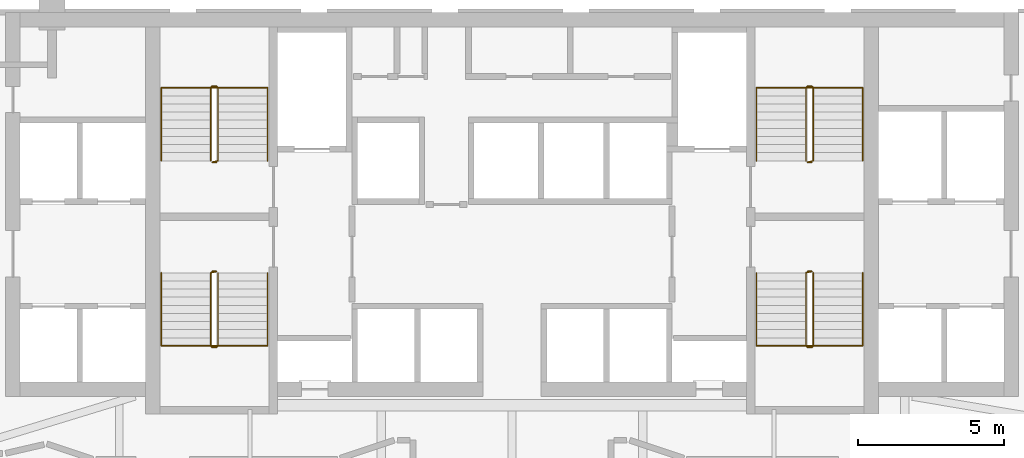
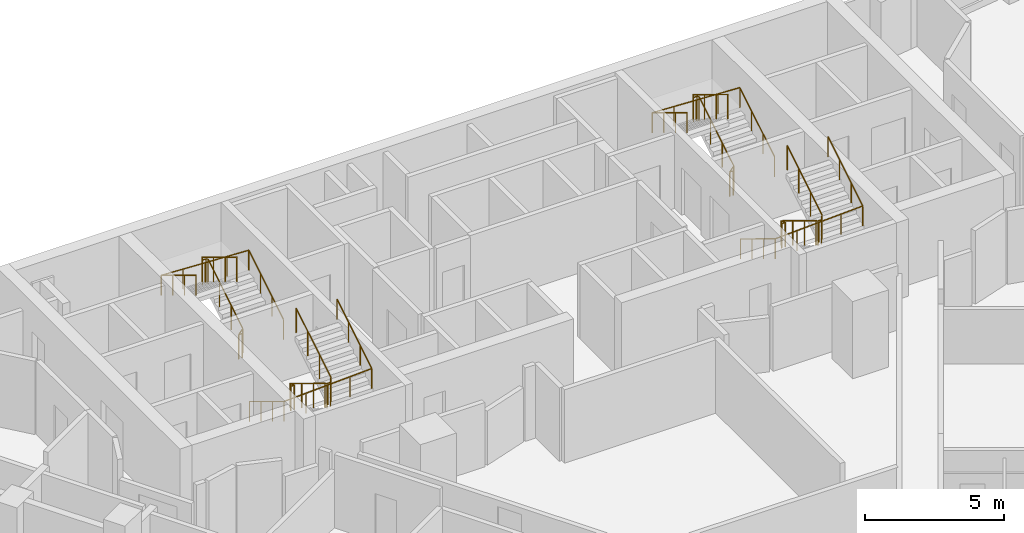
# One storey, part 11 of 11: 8 railings.
"""IFC4 building model written with IfcOpenShell, lengths in metres."""

from ifc_helpers import new_model, si_unit, direction, frame, origin, origin_2d, place, context, subcontext, project, spatial, circle, extrude, material, type_object, element, save


model = new_model("IFC4")

# Units and contexts
model_context = context("Model", 3, precision=1e-05, world=origin(), true_north=direction((0.0, 1.0)))
body_context = subcontext(model_context, "Body", "Model", "MODEL_VIEW")
ifc_project = project(units=[si_unit("LENGTHUNIT", "METRE"), si_unit("AREAUNIT", "SQUARE_METRE"), si_unit("VOLUMEUNIT", "CUBIC_METRE"), si_unit("PLANEANGLEUNIT", "RADIAN"), si_unit("MASSUNIT", "GRAM", prefix="KILO")], contexts=[model_context])

# Site, building, storey
site_placement = place(None, origin())
site = spatial("IfcSite", under=ifc_project, at=site_placement, CompositionType="ELEMENT")
building_placement = place(site_placement, origin())
building = spatial("IfcBuilding", under=site, at=building_placement, Name="Calabash Gate Tower", CompositionType="ELEMENT")
storey_placement = place(building_placement, frame((0.0, 0.0, 98.60009765625)))
storey = spatial("IfcBuildingStorey", under=building, at=storey_placement, Name="L21", CompositionType="ELEMENT", Elevation=98.60009765625)

# Railings
ifc_material_1 = material(Name="Black powder-coated steel balusters", Category="steel")
railing_type_1 = type_object("IfcRailingType", Name="Stair guard RL1100", PredefinedType="GUARDRAIL", material=ifc_material_1)
railing_1_placement = place(storey_placement, frame((-10.14990234375, 13.902587890625, 0.0)))
element("IfcRailing", 1, at=railing_1_placement, inside=storey, type_object=railing_type_1, Name="L21 ST1 stair guard 1", PredefinedType="GUARDRAIL", context=body_context, shape_type="SweptSolid", body=[
    extrude(circle(Radius=0.02392578125, at=origin_2d()), frame((0.0, 0.0, 1.076171875), z_axis=(-1.0, 0.0, 0.0), x_axis=(0.0, -1.0, 0.0)), (0.0, 0.0, 1.0), 0.150146484375),
    extrude(circle(Radius=0.02392578125, at=origin_2d()), frame((-0.150146484375, 0.0, 1.076171875), z_axis=(0.748514443355, 0.187357095101, 0.636100186295), x_axis=(-0.242814311512, 0.970072785993, 0.0)), (0.0, 0.0, 1.0), 0.26708984375),
    extrude(circle(Radius=0.02392578125, at=origin_2d()), frame((0.0498046875, 0.050048828125, 1.24609375), z_axis=(0.0, 0.853956361026, 0.520344629514), x_axis=(-1.0, 0.0, 0.0)), (0.0, 0.0, 1.0), 2.9404296875),
    extrude(circle(Radius=0.02392578125, at=origin_2d()), frame((0.0498046875, 2.56103515625, 2.77587890625), z_axis=(-0.705375805398, 0.708833529934, 0.0), x_axis=(-0.708833529934, -0.705375805398, 0.0)), (0.0, 0.0, 1.0), 0.070556640625),
    extrude(circle(Radius=0.02392578125, at=origin_2d()), frame((0.0, 2.611083984375, 2.77587890625), z_axis=(-1.0, 0.0, 0.0), x_axis=(0.0, -1.0, 0.0)), (0.0, 0.0, 1.0), 0.150146484375),
    extrude(circle(Radius=0.02392578125, at=origin_2d()), frame((-0.150146484375, 2.611083984375, 2.77587890625), z_axis=(-0.271895245746, -0.271895245746, 0.923117517265), x_axis=(0.707106781187, -0.707106781187, 0.0)), (0.0, 0.0, 1.0), 0.18408203125),
    extrude(circle(Radius=0.02392578125, at=origin_2d()), frame((-0.2001953125, 2.56103515625, 2.94580078125), z_axis=(0.0, -0.853956361026, 0.520344629514), x_axis=(1.0, 0.0, 0.0)), (0.0, 0.0, 1.0), 2.9404296875),
    extrude(circle(Radius=0.02099609375, at=origin_2d()), origin(), (0.0, 0.0, 1.0), 1.052001953125),
    extrude(circle(Radius=0.02099609375, at=origin_2d()), frame((-0.150146484375, 0.0, 0.0)), (0.0, 0.0, 1.0), 1.052001953125),
    extrude(circle(Radius=0.02099609375, at=origin_2d()), frame((0.0498046875, 0.050048828125, 0.169921875)), (0.0, 0.0, 1.0), 1.052001953125),
    extrude(circle(Radius=0.02099609375, at=origin_2d()), frame((0.0498046875, 0.886962890625, 0.679931640625)), (0.0, 0.0, 1.0), 1.052001953125),
    extrude(circle(Radius=0.02099609375, at=origin_2d()), frame((0.0498046875, 1.72412109375, 1.18994140625)), (0.0, 0.0, 1.0), 1.052001953125),
    extrude(circle(Radius=0.02099609375, at=origin_2d()), frame((0.0498046875, 2.56103515625, 1.699951171875)), (0.0, 0.0, 1.0), 1.052001953125),
    extrude(circle(Radius=0.02099609375, at=origin_2d()), frame((0.0, 2.611083984375, 1.699951171875)), (0.0, 0.0, 1.0), 1.052001953125),
    extrude(circle(Radius=0.02099609375, at=origin_2d()), frame((-0.150146484375, 2.611083984375, 1.699951171875)), (0.0, 0.0, 1.0), 1.052001953125),
    extrude(circle(Radius=0.02099609375, at=origin_2d()), frame((-0.2001953125, 2.56103515625, 1.869873046875)), (0.0, 0.0, 1.0), 1.052001953125),
    extrude(circle(Radius=0.02099609375, at=origin_2d()), frame((-0.2001953125, 1.72412109375, 2.3798828125)), (0.0, 0.0, 1.0), 1.052001953125),
    extrude(circle(Radius=0.02099609375, at=origin_2d()), frame((-0.2001953125, 0.886962890625, 2.889892578125)), (0.0, 0.0, 1.0), 1.052001953125),
    extrude(circle(Radius=0.02099609375, at=origin_2d()), frame((-0.2001953125, 0.050048828125, 3.39990234375)), (0.0, 0.0, 1.0), 1.052001953125),
])
railing_2_placement = place(storey_placement, frame((-10.300048828125, 10.152587890625, 0.0)))
element("IfcRailing", 2, at=railing_2_placement, inside=storey, type_object=railing_type_1, Name="L21 ST2 stair guard 1", PredefinedType="GUARDRAIL", context=body_context, shape_type="SweptSolid", body=[
    extrude(circle(Radius=0.02392578125, at=origin_2d()), frame((0.0, 0.0, 1.076171875), z_axis=(1.0, 0.0, 0.0), x_axis=(0.0, 1.0, 0.0)), (0.0, 0.0, 1.0), 0.150146484375),
    extrude(circle(Radius=0.02392578125, at=origin_2d()), frame((0.150146484375, 0.0, 1.076171875), z_axis=(-0.748915913269, -0.187228978317, 0.635665214189), x_axis=(0.242535625036, -0.970142500145, 0.0)), (0.0, 0.0, 1.0), 0.267333984375),
    extrude(circle(Radius=0.02392578125, at=origin_2d()), frame((-0.050048828125, -0.050048828125, 1.24609375), z_axis=(0.0, -0.853956361026, 0.520344629514), x_axis=(1.0, 0.0, 0.0)), (0.0, 0.0, 1.0), 2.9404296875),
    extrude(circle(Radius=0.02392578125, at=origin_2d()), frame((-0.050048828125, -2.56103515625, 2.77587890625), z_axis=(0.707106781187, -0.707106781187, 0.0), x_axis=(0.707106781187, 0.707106781187, 0.0)), (0.0, 0.0, 1.0), 0.07080078125),
    extrude(circle(Radius=0.02392578125, at=origin_2d()), frame((0.0, -2.611083984375, 2.77587890625), z_axis=(1.0, 0.0, 0.0), x_axis=(0.0, 1.0, 0.0)), (0.0, 0.0, 1.0), 0.150146484375),
    extrude(circle(Radius=0.02392578125, at=origin_2d()), frame((0.150146484375, -2.611083984375, 2.77587890625), z_axis=(0.270666314514, 0.271993110173, 0.92344977893), x_axis=(-0.708833529934, 0.705375805398, 0.0)), (0.0, 0.0, 1.0), 0.18408203125),
    extrude(circle(Radius=0.02392578125, at=origin_2d()), frame((0.199951171875, -2.56103515625, 2.94580078125), z_axis=(0.0, 0.853956361026, 0.520344629514), x_axis=(-1.0, 0.0, 0.0)), (0.0, 0.0, 1.0), 2.9404296875),
    extrude(circle(Radius=0.02099609375, at=origin_2d()), origin(), (0.0, 0.0, 1.0), 1.052001953125),
    extrude(circle(Radius=0.02099609375, at=origin_2d()), frame((0.150146484375, 0.0, 0.0)), (0.0, 0.0, 1.0), 1.052001953125),
    extrude(circle(Radius=0.02099609375, at=origin_2d()), frame((-0.050048828125, -0.050048828125, 0.169921875)), (0.0, 0.0, 1.0), 1.052001953125),
    extrude(circle(Radius=0.02099609375, at=origin_2d()), frame((-0.050048828125, -0.886962890625, 0.679931640625)), (0.0, 0.0, 1.0), 1.052001953125),
    extrude(circle(Radius=0.02099609375, at=origin_2d()), frame((-0.050048828125, -1.72412109375, 1.18994140625)), (0.0, 0.0, 1.0), 1.052001953125),
    extrude(circle(Radius=0.02099609375, at=origin_2d()), frame((-0.050048828125, -2.56103515625, 1.699951171875)), (0.0, 0.0, 1.0), 1.052001953125),
    extrude(circle(Radius=0.02099609375, at=origin_2d()), frame((0.0, -2.611083984375, 1.699951171875)), (0.0, 0.0, 1.0), 1.052001953125),
    extrude(circle(Radius=0.02099609375, at=origin_2d()), frame((0.150146484375, -2.611083984375, 1.699951171875)), (0.0, 0.0, 1.0), 1.052001953125),
    extrude(circle(Radius=0.02099609375, at=origin_2d()), frame((0.199951171875, -2.56103515625, 1.869873046875)), (0.0, 0.0, 1.0), 1.052001953125),
    extrude(circle(Radius=0.02099609375, at=origin_2d()), frame((0.199951171875, -1.72412109375, 2.3798828125)), (0.0, 0.0, 1.0), 1.052001953125),
    extrude(circle(Radius=0.02099609375, at=origin_2d()), frame((0.199951171875, -0.886962890625, 2.889892578125)), (0.0, 0.0, 1.0), 1.052001953125),
    extrude(circle(Radius=0.02099609375, at=origin_2d()), frame((0.199951171875, -0.050048828125, 3.39990234375)), (0.0, 0.0, 1.0), 1.052001953125),
])
railing_3_placement = place(storey_placement, frame((10.300048828125, 13.902587890625, 0.0)))
element("IfcRailing", 3, at=railing_3_placement, inside=storey, type_object=railing_type_1, Name="L21 ST3 stair guard 1", PredefinedType="GUARDRAIL", context=body_context, shape_type="SweptSolid", body=[
    extrude(circle(Radius=0.02392578125, at=origin_2d()), frame((0.0, 0.0, 1.076171875), z_axis=(-1.0, 0.0, 0.0), x_axis=(0.0, -1.0, 0.0)), (0.0, 0.0, 1.0), 0.150146484375),
    extrude(circle(Radius=0.02392578125, at=origin_2d()), frame((-0.150146484375, 0.0, 1.076171875), z_axis=(0.748915913269, 0.187228978317, 0.635665214189), x_axis=(-0.242535625036, 0.970142500145, 0.0)), (0.0, 0.0, 1.0), 0.267333984375),
    extrude(circle(Radius=0.02392578125, at=origin_2d()), frame((0.050048828125, 0.050048828125, 1.24609375), z_axis=(0.0, 0.853956361026, 0.520344629514), x_axis=(-1.0, 0.0, 0.0)), (0.0, 0.0, 1.0), 2.9404296875),
    extrude(circle(Radius=0.02392578125, at=origin_2d()), frame((0.050048828125, 2.56103515625, 2.77587890625), z_axis=(-0.707106781187, 0.707106781187, 0.0), x_axis=(-0.707106781187, -0.707106781187, 0.0)), (0.0, 0.0, 1.0), 0.07080078125),
    extrude(circle(Radius=0.02392578125, at=origin_2d()), frame((0.0, 2.611083984375, 2.77587890625), z_axis=(-1.0, 0.0, 0.0), x_axis=(0.0, -1.0, 0.0)), (0.0, 0.0, 1.0), 0.150146484375),
    extrude(circle(Radius=0.02392578125, at=origin_2d()), frame((-0.150146484375, 2.611083984375, 2.77587890625), z_axis=(-0.270666314514, -0.271993110173, 0.92344977893), x_axis=(0.708833529934, -0.705375805398, 0.0)), (0.0, 0.0, 1.0), 0.18408203125),
    extrude(circle(Radius=0.02392578125, at=origin_2d()), frame((-0.199951171875, 2.56103515625, 2.94580078125), z_axis=(0.0, -0.853956361026, 0.520344629514), x_axis=(1.0, 0.0, 0.0)), (0.0, 0.0, 1.0), 2.9404296875),
    extrude(circle(Radius=0.02099609375, at=origin_2d()), origin(), (0.0, 0.0, 1.0), 1.052001953125),
    extrude(circle(Radius=0.02099609375, at=origin_2d()), frame((-0.150146484375, 0.0, 0.0)), (0.0, 0.0, 1.0), 1.052001953125),
    extrude(circle(Radius=0.02099609375, at=origin_2d()), frame((0.050048828125, 0.050048828125, 0.169921875)), (0.0, 0.0, 1.0), 1.052001953125),
    extrude(circle(Radius=0.02099609375, at=origin_2d()), frame((0.050048828125, 0.886962890625, 0.679931640625)), (0.0, 0.0, 1.0), 1.052001953125),
    extrude(circle(Radius=0.02099609375, at=origin_2d()), frame((0.050048828125, 1.72412109375, 1.18994140625)), (0.0, 0.0, 1.0), 1.052001953125),
    extrude(circle(Radius=0.02099609375, at=origin_2d()), frame((0.050048828125, 2.56103515625, 1.699951171875)), (0.0, 0.0, 1.0), 1.052001953125),
    extrude(circle(Radius=0.02099609375, at=origin_2d()), frame((0.0, 2.611083984375, 1.699951171875)), (0.0, 0.0, 1.0), 1.052001953125),
    extrude(circle(Radius=0.02099609375, at=origin_2d()), frame((-0.150146484375, 2.611083984375, 1.699951171875)), (0.0, 0.0, 1.0), 1.052001953125),
    extrude(circle(Radius=0.02099609375, at=origin_2d()), frame((-0.199951171875, 2.56103515625, 1.869873046875)), (0.0, 0.0, 1.0), 1.052001953125),
    extrude(circle(Radius=0.02099609375, at=origin_2d()), frame((-0.199951171875, 1.72412109375, 2.3798828125)), (0.0, 0.0, 1.0), 1.052001953125),
    extrude(circle(Radius=0.02099609375, at=origin_2d()), frame((-0.199951171875, 0.886962890625, 2.889892578125)), (0.0, 0.0, 1.0), 1.052001953125),
    extrude(circle(Radius=0.02099609375, at=origin_2d()), frame((-0.199951171875, 0.050048828125, 3.39990234375)), (0.0, 0.0, 1.0), 1.052001953125),
])
railing_4_placement = place(storey_placement, frame((10.14990234375, 10.152587890625, 0.0)))
element("IfcRailing", 4, at=railing_4_placement, inside=storey, type_object=railing_type_1, Name="L21 ST4 stair guard 1", PredefinedType="GUARDRAIL", context=body_context, shape_type="SweptSolid", body=[
    extrude(circle(Radius=0.02392578125, at=origin_2d()), frame((0.0, 0.0, 1.076171875), z_axis=(1.0, 0.0, 0.0), x_axis=(0.0, 1.0, 0.0)), (0.0, 0.0, 1.0), 0.150146484375),
    extrude(circle(Radius=0.02392578125, at=origin_2d()), frame((0.150146484375, 0.0, 1.076171875), z_axis=(-0.748514443355, -0.187357095101, 0.636100186295), x_axis=(0.242814311512, -0.970072785993, 0.0)), (0.0, 0.0, 1.0), 0.26708984375),
    extrude(circle(Radius=0.02392578125, at=origin_2d()), frame((-0.0498046875, -0.050048828125, 1.24609375), z_axis=(0.0, -0.853956361026, 0.520344629514), x_axis=(1.0, 0.0, 0.0)), (0.0, 0.0, 1.0), 2.9404296875),
    extrude(circle(Radius=0.02392578125, at=origin_2d()), frame((-0.0498046875, -2.56103515625, 2.77587890625), z_axis=(0.705375805398, -0.708833529934, 0.0), x_axis=(0.708833529934, 0.705375805398, 0.0)), (0.0, 0.0, 1.0), 0.070556640625),
    extrude(circle(Radius=0.02392578125, at=origin_2d()), frame((0.0, -2.611083984375, 2.77587890625), z_axis=(1.0, 0.0, 0.0), x_axis=(0.0, 1.0, 0.0)), (0.0, 0.0, 1.0), 0.150146484375),
    extrude(circle(Radius=0.02392578125, at=origin_2d()), frame((0.150146484375, -2.611083984375, 2.77587890625), z_axis=(0.271895245746, 0.271895245746, 0.923117517265), x_axis=(-0.707106781187, 0.707106781187, 0.0)), (0.0, 0.0, 1.0), 0.18408203125),
    extrude(circle(Radius=0.02392578125, at=origin_2d()), frame((0.2001953125, -2.56103515625, 2.94580078125), z_axis=(0.0, 0.853956361026, 0.520344629514), x_axis=(-1.0, 0.0, 0.0)), (0.0, 0.0, 1.0), 2.9404296875),
    extrude(circle(Radius=0.02099609375, at=origin_2d()), origin(), (0.0, 0.0, 1.0), 1.052001953125),
    extrude(circle(Radius=0.02099609375, at=origin_2d()), frame((0.150146484375, 0.0, 0.0)), (0.0, 0.0, 1.0), 1.052001953125),
    extrude(circle(Radius=0.02099609375, at=origin_2d()), frame((-0.0498046875, -0.050048828125, 0.169921875)), (0.0, 0.0, 1.0), 1.052001953125),
    extrude(circle(Radius=0.02099609375, at=origin_2d()), frame((-0.0498046875, -0.886962890625, 0.679931640625)), (0.0, 0.0, 1.0), 1.052001953125),
    extrude(circle(Radius=0.02099609375, at=origin_2d()), frame((-0.0498046875, -1.72412109375, 1.18994140625)), (0.0, 0.0, 1.0), 1.052001953125),
    extrude(circle(Radius=0.02099609375, at=origin_2d()), frame((-0.0498046875, -2.56103515625, 1.699951171875)), (0.0, 0.0, 1.0), 1.052001953125),
    extrude(circle(Radius=0.02099609375, at=origin_2d()), frame((0.0, -2.611083984375, 1.699951171875)), (0.0, 0.0, 1.0), 1.052001953125),
    extrude(circle(Radius=0.02099609375, at=origin_2d()), frame((0.150146484375, -2.611083984375, 1.699951171875)), (0.0, 0.0, 1.0), 1.052001953125),
    extrude(circle(Radius=0.02099609375, at=origin_2d()), frame((0.2001953125, -2.56103515625, 1.869873046875)), (0.0, 0.0, 1.0), 1.052001953125),
    extrude(circle(Radius=0.02099609375, at=origin_2d()), frame((0.2001953125, -1.72412109375, 2.3798828125)), (0.0, 0.0, 1.0), 1.052001953125),
    extrude(circle(Radius=0.02099609375, at=origin_2d()), frame((0.2001953125, -0.886962890625, 2.889892578125)), (0.0, 0.0, 1.0), 1.052001953125),
    extrude(circle(Radius=0.02099609375, at=origin_2d()), frame((0.2001953125, -0.050048828125, 3.39990234375)), (0.0, 0.0, 1.0), 1.052001953125),
])
ifc_material_2 = material(Name="Black powder-coated steel tube 48 mm", Category="steel")
railing_type_2 = type_object("IfcRailingType", Name="Stair handrail RL900", PredefinedType="HANDRAIL", material=ifc_material_2)
railing_5_placement = place(storey_placement, frame((-8.39990234375, 13.95263671875, 0.169921875)))
element("IfcRailing", 5, at=railing_5_placement, inside=storey, type_object=railing_type_2, Name="L21 ST1 stair handrail 1", PredefinedType="HANDRAIL", context=body_context, shape_type="SweptSolid", body=[
    extrude(circle(Radius=0.02392578125, at=origin_2d()), frame((0.0, 0.0, 0.8759765625), z_axis=(0.0, 0.853956361026, 0.520344629514), x_axis=(-1.0, 0.0, 0.0)), (0.0, 0.0, 1.0), 2.9404296875),
    extrude(circle(Radius=0.02392578125, at=origin_2d()), frame((0.0, 2.510986328125, 2.40576171875), z_axis=(-0.998918210324, 0.0, 0.046501710547), x_axis=(0.0, -1.0, 0.0)), (0.0, 0.0, 1.0), 3.654052734375),
    extrude(circle(Radius=0.02392578125, at=origin_2d()), frame((-3.650146484375, 2.510986328125, 2.57568359375), z_axis=(0.0, -0.853956361026, 0.520344629514), x_axis=(1.0, 0.0, 0.0)), (0.0, 0.0, 1.0), 2.9404296875),
    extrude(circle(Radius=0.02099609375, at=origin_2d()), origin(), (0.0, 0.0, 1.0), 0.851806640625),
    extrude(circle(Radius=0.02099609375, at=origin_2d()), frame((0.0, 0.8369140625, 0.510009765625)), (0.0, 0.0, 1.0), 0.851806640625),
    extrude(circle(Radius=0.02099609375, at=origin_2d()), frame((0.0, 1.674072265625, 1.02001953125)), (0.0, 0.0, 1.0), 0.851806640625),
    extrude(circle(Radius=0.02099609375, at=origin_2d()), frame((0.0, 2.510986328125, 1.530029296875)), (0.0, 0.0, 1.0), 0.851806640625),
    extrude(circle(Radius=0.02099609375, at=origin_2d()), frame((-0.91259765625, 2.510986328125, 1.572509765625)), (0.0, 0.0, 1.0), 0.851806640625),
    extrude(circle(Radius=0.02099609375, at=origin_2d()), frame((-1.8251953125, 2.510986328125, 1.614990234375)), (0.0, 0.0, 1.0), 0.851806640625),
    extrude(circle(Radius=0.02099609375, at=origin_2d()), frame((-2.737548828125, 2.510986328125, 1.657470703125)), (0.0, 0.0, 1.0), 0.851806640625),
    extrude(circle(Radius=0.02099609375, at=origin_2d()), frame((-3.650146484375, 2.510986328125, 1.699951171875)), (0.0, 0.0, 1.0), 0.851806640625),
    extrude(circle(Radius=0.02099609375, at=origin_2d()), frame((-3.650146484375, 1.674072265625, 2.2099609375)), (0.0, 0.0, 1.0), 0.851806640625),
    extrude(circle(Radius=0.02099609375, at=origin_2d()), frame((-3.650146484375, 0.8369140625, 2.719970703125)), (0.0, 0.0, 1.0), 0.851806640625),
    extrude(circle(Radius=0.02099609375, at=origin_2d()), frame((-3.650146484375, 0.0, 3.22998046875)), (0.0, 0.0, 1.0), 0.851806640625),
])
railing_6_placement = place(storey_placement, frame((-12.050048828125, 10.1025390625, 0.169921875)))
element("IfcRailing", 6, at=railing_6_placement, inside=storey, type_object=railing_type_2, Name="L21 ST2 stair handrail 1", PredefinedType="HANDRAIL", context=body_context, shape_type="SweptSolid", body=[
    extrude(circle(Radius=0.02392578125, at=origin_2d()), frame((0.0, 0.0, 0.8759765625), z_axis=(0.0, -0.853956361026, 0.520344629514), x_axis=(1.0, 0.0, 0.0)), (0.0, 0.0, 1.0), 2.9404296875),
    extrude(circle(Radius=0.02392578125, at=origin_2d()), frame((0.0, -2.510986328125, 2.40576171875), z_axis=(0.998918210324, 0.0, 0.046501710547), x_axis=(0.0, 1.0, 0.0)), (0.0, 0.0, 1.0), 3.654052734375),
    extrude(circle(Radius=0.02392578125, at=origin_2d()), frame((3.650146484375, -2.510986328125, 2.57568359375), z_axis=(0.0, 0.853956361026, 0.520344629514), x_axis=(-1.0, 0.0, 0.0)), (0.0, 0.0, 1.0), 2.9404296875),
    extrude(circle(Radius=0.02099609375, at=origin_2d()), origin(), (0.0, 0.0, 1.0), 0.851806640625),
    extrude(circle(Radius=0.02099609375, at=origin_2d()), frame((0.0, -0.8369140625, 0.510009765625)), (0.0, 0.0, 1.0), 0.851806640625),
    extrude(circle(Radius=0.02099609375, at=origin_2d()), frame((0.0, -1.674072265625, 1.02001953125)), (0.0, 0.0, 1.0), 0.851806640625),
    extrude(circle(Radius=0.02099609375, at=origin_2d()), frame((0.0, -2.510986328125, 1.530029296875)), (0.0, 0.0, 1.0), 0.851806640625),
    extrude(circle(Radius=0.02099609375, at=origin_2d()), frame((0.91259765625, -2.510986328125, 1.572509765625)), (0.0, 0.0, 1.0), 0.851806640625),
    extrude(circle(Radius=0.02099609375, at=origin_2d()), frame((1.8251953125, -2.510986328125, 1.614990234375)), (0.0, 0.0, 1.0), 0.851806640625),
    extrude(circle(Radius=0.02099609375, at=origin_2d()), frame((2.737548828125, -2.510986328125, 1.657470703125)), (0.0, 0.0, 1.0), 0.851806640625),
    extrude(circle(Radius=0.02099609375, at=origin_2d()), frame((3.650146484375, -2.510986328125, 1.699951171875)), (0.0, 0.0, 1.0), 0.851806640625),
    extrude(circle(Radius=0.02099609375, at=origin_2d()), frame((3.650146484375, -1.674072265625, 2.2099609375)), (0.0, 0.0, 1.0), 0.851806640625),
    extrude(circle(Radius=0.02099609375, at=origin_2d()), frame((3.650146484375, -0.8369140625, 2.719970703125)), (0.0, 0.0, 1.0), 0.851806640625),
    extrude(circle(Radius=0.02099609375, at=origin_2d()), frame((3.650146484375, 0.0, 3.22998046875)), (0.0, 0.0, 1.0), 0.851806640625),
])
railing_7_placement = place(storey_placement, frame((12.050048828125, 13.95263671875, 0.169921875)))
element("IfcRailing", 7, at=railing_7_placement, inside=storey, type_object=railing_type_2, Name="L21 ST3 stair handrail 1", PredefinedType="HANDRAIL", context=body_context, shape_type="SweptSolid", body=[
    extrude(circle(Radius=0.02392578125, at=origin_2d()), frame((0.0, 0.0, 0.8759765625), z_axis=(0.0, 0.853956361026, 0.520344629514), x_axis=(-1.0, 0.0, 0.0)), (0.0, 0.0, 1.0), 2.9404296875),
    extrude(circle(Radius=0.02392578125, at=origin_2d()), frame((0.0, 2.510986328125, 2.40576171875), z_axis=(-0.998918210324, 0.0, 0.046501710547), x_axis=(0.0, -1.0, 0.0)), (0.0, 0.0, 1.0), 3.654052734375),
    extrude(circle(Radius=0.02392578125, at=origin_2d()), frame((-3.650146484375, 2.510986328125, 2.57568359375), z_axis=(0.0, -0.853956361026, 0.520344629514), x_axis=(1.0, 0.0, 0.0)), (0.0, 0.0, 1.0), 2.9404296875),
    extrude(circle(Radius=0.02099609375, at=origin_2d()), origin(), (0.0, 0.0, 1.0), 0.851806640625),
    extrude(circle(Radius=0.02099609375, at=origin_2d()), frame((0.0, 0.8369140625, 0.510009765625)), (0.0, 0.0, 1.0), 0.851806640625),
    extrude(circle(Radius=0.02099609375, at=origin_2d()), frame((0.0, 1.674072265625, 1.02001953125)), (0.0, 0.0, 1.0), 0.851806640625),
    extrude(circle(Radius=0.02099609375, at=origin_2d()), frame((0.0, 2.510986328125, 1.530029296875)), (0.0, 0.0, 1.0), 0.851806640625),
    extrude(circle(Radius=0.02099609375, at=origin_2d()), frame((-0.91259765625, 2.510986328125, 1.572509765625)), (0.0, 0.0, 1.0), 0.851806640625),
    extrude(circle(Radius=0.02099609375, at=origin_2d()), frame((-1.8251953125, 2.510986328125, 1.614990234375)), (0.0, 0.0, 1.0), 0.851806640625),
    extrude(circle(Radius=0.02099609375, at=origin_2d()), frame((-2.737548828125, 2.510986328125, 1.657470703125)), (0.0, 0.0, 1.0), 0.851806640625),
    extrude(circle(Radius=0.02099609375, at=origin_2d()), frame((-3.650146484375, 2.510986328125, 1.699951171875)), (0.0, 0.0, 1.0), 0.851806640625),
    extrude(circle(Radius=0.02099609375, at=origin_2d()), frame((-3.650146484375, 1.674072265625, 2.2099609375)), (0.0, 0.0, 1.0), 0.851806640625),
    extrude(circle(Radius=0.02099609375, at=origin_2d()), frame((-3.650146484375, 0.8369140625, 2.719970703125)), (0.0, 0.0, 1.0), 0.851806640625),
    extrude(circle(Radius=0.02099609375, at=origin_2d()), frame((-3.650146484375, 0.0, 3.22998046875)), (0.0, 0.0, 1.0), 0.851806640625),
])
railing_8_placement = place(storey_placement, frame((8.39990234375, 10.1025390625, 0.169921875)))
element("IfcRailing", 8, at=railing_8_placement, inside=storey, type_object=railing_type_2, Name="L21 ST4 stair handrail 1", PredefinedType="HANDRAIL", context=body_context, shape_type="SweptSolid", body=[
    extrude(circle(Radius=0.02392578125, at=origin_2d()), frame((0.0, 0.0, 0.8759765625), z_axis=(0.0, -0.853956361026, 0.520344629514), x_axis=(1.0, 0.0, 0.0)), (0.0, 0.0, 1.0), 2.9404296875),
    extrude(circle(Radius=0.02392578125, at=origin_2d()), frame((0.0, -2.510986328125, 2.40576171875), z_axis=(0.998918210324, 0.0, 0.046501710547), x_axis=(0.0, 1.0, 0.0)), (0.0, 0.0, 1.0), 3.654052734375),
    extrude(circle(Radius=0.02392578125, at=origin_2d()), frame((3.650146484375, -2.510986328125, 2.57568359375), z_axis=(0.0, 0.853956361026, 0.520344629514), x_axis=(-1.0, 0.0, 0.0)), (0.0, 0.0, 1.0), 2.9404296875),
    extrude(circle(Radius=0.02099609375, at=origin_2d()), origin(), (0.0, 0.0, 1.0), 0.851806640625),
    extrude(circle(Radius=0.02099609375, at=origin_2d()), frame((0.0, -0.8369140625, 0.510009765625)), (0.0, 0.0, 1.0), 0.851806640625),
    extrude(circle(Radius=0.02099609375, at=origin_2d()), frame((0.0, -1.674072265625, 1.02001953125)), (0.0, 0.0, 1.0), 0.851806640625),
    extrude(circle(Radius=0.02099609375, at=origin_2d()), frame((0.0, -2.510986328125, 1.530029296875)), (0.0, 0.0, 1.0), 0.851806640625),
    extrude(circle(Radius=0.02099609375, at=origin_2d()), frame((0.91259765625, -2.510986328125, 1.572509765625)), (0.0, 0.0, 1.0), 0.851806640625),
    extrude(circle(Radius=0.02099609375, at=origin_2d()), frame((1.8251953125, -2.510986328125, 1.614990234375)), (0.0, 0.0, 1.0), 0.851806640625),
    extrude(circle(Radius=0.02099609375, at=origin_2d()), frame((2.737548828125, -2.510986328125, 1.657470703125)), (0.0, 0.0, 1.0), 0.851806640625),
    extrude(circle(Radius=0.02099609375, at=origin_2d()), frame((3.650146484375, -2.510986328125, 1.699951171875)), (0.0, 0.0, 1.0), 0.851806640625),
    extrude(circle(Radius=0.02099609375, at=origin_2d()), frame((3.650146484375, -1.674072265625, 2.2099609375)), (0.0, 0.0, 1.0), 0.851806640625),
    extrude(circle(Radius=0.02099609375, at=origin_2d()), frame((3.650146484375, -0.8369140625, 2.719970703125)), (0.0, 0.0, 1.0), 0.851806640625),
    extrude(circle(Radius=0.02099609375, at=origin_2d()), frame((3.650146484375, 0.0, 3.22998046875)), (0.0, 0.0, 1.0), 0.851806640625),
])

save(model, "model.ifc")
